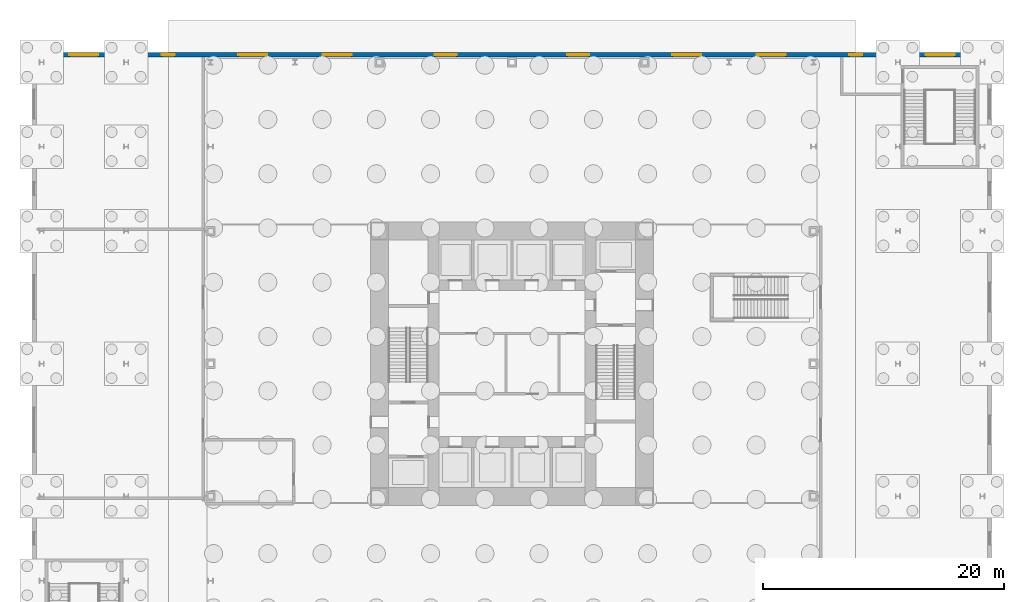
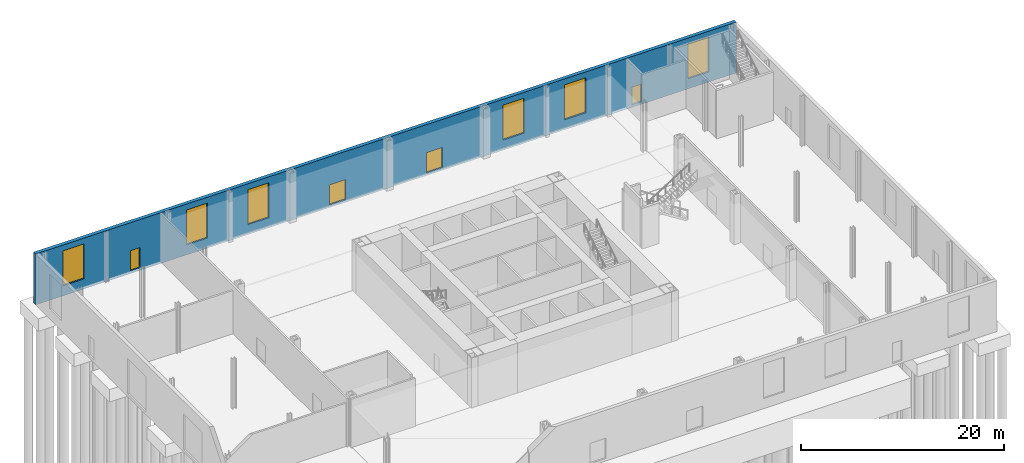
# One storey, part 11 of 16: 6 windows, 4 doors, 1 wall, 10 openings.
"""IFC4 building model written with IfcOpenShell, lengths in metres."""

from ifc_helpers import new_model, si_unit, direction, frame, frame_2d, origin, place, context, subcontext, project, spatial, rectangle, extrude, material, layer, layer_set, type_object, element, fill, save


model = new_model("IFC4")

# Units and contexts
model_context = context("Model", 3, precision=1e-05, world=origin(), true_north=direction((0.0, 1.0)))
body_context = subcontext(model_context, "Body", "Model", "MODEL_VIEW")
ifc_project = project(units=[si_unit("LENGTHUNIT", "METRE"), si_unit("AREAUNIT", "SQUARE_METRE"), si_unit("VOLUMEUNIT", "CUBIC_METRE"), si_unit("PLANEANGLEUNIT", "RADIAN"), si_unit("MASSUNIT", "GRAM", prefix="KILO")], contexts=[model_context])

# Site, building, storey
site_placement = place(None, origin())
site = spatial("IfcSite", under=ifc_project, at=site_placement, CompositionType="ELEMENT")
building_placement = place(site_placement, origin())
building = spatial("IfcBuilding", under=site, at=building_placement, Name="Trevanion Tower", CompositionType="ELEMENT")
storey_placement = place(building_placement, origin())
storey = spatial("IfcBuildingStorey", under=building, at=storey_placement, Name="L00", CompositionType="ELEMENT", Elevation=0.0)

# Wall, openings, doors, windows
ifc_material_1 = material(Name="Granite cladding on concrete masonry", Category="masonry")
ifc_layer = layer(ifc_material_1, 0.39990234375)
ifc_layer_set = layer_set([ifc_layer], Name="EW1 granite-faced wall 400")
wall_type = type_object("IfcWallType", Name="EW1 granite-faced wall 400", PredefinedType="SOLIDWALL", material=ifc_layer_set)
wall_placement = place(storey_placement, frame((39.820068359375, 25.6201171875, -0.300048828125), z_axis=(0.0, 0.0, 1.0), x_axis=(-1.0, 0.0, 0.0)))
wall = element("IfcWall", 1, at=wall_placement, inside=storey, type_object=wall_type, Name="EW1 N L00", PredefinedType="SOLIDWALL", context=body_context, shape_type="SweptSolid", body=[
    extrude(rectangle(XDim=79.64013671875, YDim=0.39990234375, at=frame_2d((39.820068359375, 0.0))), origin(), (0.0, 0.0, 1.0), 6.110107421875),
])
opening_1_placement = place(wall_placement, frame((74.1201171875, 0.0, 1.199951171875)))
opening_1 = element("IfcOpeningElement", 2, at=opening_1_placement, cuts=wall, Name="Opening WN1", PredefinedType="OPENING", context=body_context, shape_type="SweptSolid", body=[
    extrude(rectangle(XDim=2.39990234375, YDim=4.199951171875, at=frame_2d((1.199951171875, 2.10009765625))), frame((0.0, 0.2099609375, 0.0), z_axis=(0.0, -1.0, 0.0), x_axis=(1.0, 0.0, 0.0)), (0.0, 0.0, 1.0), 0.419921875),
])
opening_2_placement = place(wall_placement, frame((67.784912109375, 0.0, 0.300048828125)))
opening_2 = element("IfcOpeningElement", 3, at=opening_2_placement, cuts=wall, Name="Opening 00E06", PredefinedType="OPENING", context=body_context, shape_type="SweptSolid", body=[
    extrude(rectangle(XDim=1.070068359375, YDim=2.43994140625, at=frame_2d((0.53515625, 1.219970703125))), frame((0.0, 0.2099609375, 0.0), z_axis=(0.0, -1.0, 0.0), x_axis=(1.0, 0.0, 0.0)), (0.0, 0.0, 1.0), 0.419921875),
])
opening_3_placement = place(wall_placement, frame((60.1201171875, 0.0, 1.199951171875)))
opening_3 = element("IfcOpeningElement", 4, at=opening_3_placement, cuts=wall, Name="Opening WN1", PredefinedType="OPENING", context=body_context, shape_type="SweptSolid", body=[
    extrude(rectangle(XDim=2.39990234375, YDim=4.199951171875, at=frame_2d((1.199951171875, 2.10009765625))), frame((0.0, 0.2099609375, 0.0), z_axis=(0.0, -1.0, 0.0), x_axis=(1.0, 0.0, 0.0)), (0.0, 0.0, 1.0), 0.419921875),
])
opening_4_placement = place(wall_placement, frame((53.1201171875, 0.0, 1.199951171875)))
opening_4 = element("IfcOpeningElement", 5, at=opening_4_placement, cuts=wall, Name="Opening WN1", PredefinedType="OPENING", context=body_context, shape_type="SweptSolid", body=[
    extrude(rectangle(XDim=2.39990234375, YDim=4.199951171875, at=frame_2d((1.199951171875, 2.10009765625))), frame((0.0, 0.2099609375, 0.0), z_axis=(0.0, -1.0, 0.0), x_axis=(1.0, 0.0, 0.0)), (0.0, 0.0, 1.0), 0.419921875),
])
opening_5_placement = place(wall_placement, frame((44.405029296875, 0.0, 0.300048828125)))
opening_5 = element("IfcOpeningElement", 6, at=opening_5_placement, cuts=wall, Name="Opening 00E07", PredefinedType="OPENING", context=body_context, shape_type="SweptSolid", body=[
    extrude(rectangle(XDim=1.830078125, YDim=2.43994140625, at=frame_2d((0.9150390625, 1.219970703125))), frame((0.0, 0.2099609375, 0.0), z_axis=(0.0, -1.0, 0.0), x_axis=(1.0, 0.0, 0.0)), (0.0, 0.0, 1.0), 0.419921875),
])
opening_6_placement = place(wall_placement, frame((33.405029296875, 0.0, 0.300048828125)))
opening_6 = element("IfcOpeningElement", 7, at=opening_6_placement, cuts=wall, Name="Opening 00E08", PredefinedType="OPENING", context=body_context, shape_type="SweptSolid", body=[
    extrude(rectangle(XDim=1.830078125, YDim=2.43994140625, at=frame_2d((0.9150390625, 1.219970703125))), frame((0.0, 0.2099609375, 0.0), z_axis=(0.0, -1.0, 0.0), x_axis=(1.0, 0.0, 0.0)), (0.0, 0.0, 1.0), 0.419921875),
])
opening_7_placement = place(wall_placement, frame((24.1201171875, 0.0, 1.199951171875)))
opening_7 = element("IfcOpeningElement", 8, at=opening_7_placement, cuts=wall, Name="Opening WN1", PredefinedType="OPENING", context=body_context, shape_type="SweptSolid", body=[
    extrude(rectangle(XDim=2.39990234375, YDim=4.199951171875, at=frame_2d((1.199951171875, 2.10009765625))), frame((0.0, 0.2099609375, 0.0), z_axis=(0.0, -1.0, 0.0), x_axis=(1.0, 0.0, 0.0)), (0.0, 0.0, 1.0), 0.419921875),
])
opening_8_placement = place(wall_placement, frame((17.1201171875, 0.0, 1.199951171875)))
opening_8 = element("IfcOpeningElement", 9, at=opening_8_placement, cuts=wall, Name="Opening WN1", PredefinedType="OPENING", context=body_context, shape_type="SweptSolid", body=[
    extrude(rectangle(XDim=2.39990234375, YDim=4.199951171875, at=frame_2d((1.199951171875, 2.10009765625))), frame((0.0, 0.2099609375, 0.0), z_axis=(0.0, -1.0, 0.0), x_axis=(1.0, 0.0, 0.0)), (0.0, 0.0, 1.0), 0.419921875),
])
opening_9_placement = place(wall_placement, frame((3.1201171875, 0.0, 1.199951171875)))
opening_9 = element("IfcOpeningElement", 10, at=opening_9_placement, cuts=wall, Name="Opening WN1", PredefinedType="OPENING", context=body_context, shape_type="SweptSolid", body=[
    extrude(rectangle(XDim=2.39990234375, YDim=4.199951171875, at=frame_2d((1.199951171875, 2.10009765625))), frame((0.0, 0.2099609375, 0.0), z_axis=(0.0, -1.0, 0.0), x_axis=(1.0, 0.0, 0.0)), (0.0, 0.0, 1.0), 0.419921875),
])
opening_10_placement = place(wall_placement, frame((10.784912109375, 0.0, 0.300048828125)))
opening_10 = element("IfcOpeningElement", 11, at=opening_10_placement, cuts=wall, Name="Opening 00E14", PredefinedType="OPENING", context=body_context, shape_type="SweptSolid", body=[
    extrude(rectangle(XDim=1.070068359375, YDim=2.1298828125, at=frame_2d((0.53515625, 1.06494140625))), frame((0.0, 0.2099609375, 0.0), z_axis=(0.0, -1.0, 0.0), x_axis=(1.0, 0.0, 0.0)), (0.0, 0.0, 1.0), 0.419921875),
])
ifc_material_2 = material(Name="Bronze-finish aluminium and glass", Category="aluminium")
door_type_1 = type_object("IfcDoorType", Name="ED1 bronze and glass entrance pair", OperationType="DOUBLE_DOOR_DOUBLE_SWING", PredefinedType="DOOR", material=ifc_material_2)
door_1_placement = place(opening_5_placement, frame((1.830078125, 0.0, 0.0), z_axis=(0.0, 0.0, 1.0), x_axis=(-1.0, 0.0, 0.0)))
door_1 = element("IfcDoor", 12, at=door_1_placement, inside=storey, type_object=door_type_1, Name="Door 00E07", OperationType="SINGLE_SWING_LEFT", OverallHeight=2.43994140625, OverallWidth=1.830078125, PredefinedType="DOOR", context=body_context, shape_type="SweptSolid", body=[
    extrude(rectangle(XDim=1.830078125, YDim=2.43994140625, at=frame_2d((0.9150390625, 1.219970703125))), frame((0.0, 0.02490234375, 0.0), z_axis=(0.0, -1.0, 0.0), x_axis=(1.0, 0.0, 0.0)), (0.0, 0.0, 1.0), 0.050048828125),
])
fill(opening_5, door_1)
door_2_placement = place(opening_6_placement, frame((1.830078125, 0.0, 0.0), z_axis=(0.0, 0.0, 1.0), x_axis=(-1.0, 0.0, 0.0)))
door_2 = element("IfcDoor", 13, at=door_2_placement, inside=storey, type_object=door_type_1, Name="Door 00E08", OperationType="SINGLE_SWING_LEFT", OverallHeight=2.43994140625, OverallWidth=1.830078125, PredefinedType="DOOR", context=body_context, shape_type="SweptSolid", body=[
    extrude(rectangle(XDim=1.830078125, YDim=2.43994140625, at=frame_2d((0.9150390625, 1.219970703125))), frame((0.0, 0.02490234375, 0.0), z_axis=(0.0, -1.0, 0.0), x_axis=(1.0, 0.0, 0.0)), (0.0, 0.0, 1.0), 0.050048828125),
])
fill(opening_6, door_2)
ifc_material_3 = material(Name="Bronze-finish aluminium and glass", Category="aluminium")
door_type_2 = type_object("IfcDoorType", Name="ED2 bronze and glass shop door", OperationType="SINGLE_SWING_LEFT", PredefinedType="DOOR", material=ifc_material_3)
door_3_placement = place(opening_2_placement, frame((1.070068359375, 0.0, 0.0), z_axis=(0.0, 0.0, 1.0), x_axis=(-1.0, 0.0, 0.0)))
door_3 = element("IfcDoor", 14, at=door_3_placement, inside=storey, type_object=door_type_2, Name="Door 00E06", OperationType="SINGLE_SWING_LEFT", OverallHeight=2.43994140625, OverallWidth=1.070068359375, PredefinedType="DOOR", context=body_context, shape_type="SweptSolid", body=[
    extrude(rectangle(XDim=1.070068359375, YDim=2.43994140625, at=frame_2d((0.53515625, 1.219970703125))), frame((0.0, 0.02490234375, 0.0), z_axis=(0.0, -1.0, 0.0), x_axis=(1.0, 0.0, 0.0)), (0.0, 0.0, 1.0), 0.050048828125),
])
fill(opening_2, door_3)
ifc_material_4 = material(Name="Steel", Category="steel")
door_type_3 = type_object("IfcDoorType", Name="ED3 steel exit door", OperationType="SINGLE_SWING_LEFT", PredefinedType="DOOR", material=ifc_material_4)
door_4_placement = place(opening_10_placement, frame((1.070068359375, 0.0, 0.0), z_axis=(0.0, 0.0, 1.0), x_axis=(-1.0, 0.0, 0.0)))
door_4 = element("IfcDoor", 15, at=door_4_placement, inside=storey, type_object=door_type_3, Name="Door 00E14", OperationType="SINGLE_SWING_LEFT", OverallHeight=2.1298828125, OverallWidth=1.070068359375, PredefinedType="DOOR", context=body_context, shape_type="SweptSolid", body=[
    extrude(rectangle(XDim=1.070068359375, YDim=2.1298828125, at=frame_2d((0.53515625, 1.06494140625))), frame((0.0, 0.02490234375, 0.0), z_axis=(0.0, -1.0, 0.0), x_axis=(1.0, 0.0, 0.0)), (0.0, 0.0, 1.0), 0.050048828125),
])
fill(opening_10, door_4)
ifc_material_5 = material(Name="Bronze-finish aluminium frame, insulating glass", Category="aluminium")
window_type = type_object("IfcWindowType", Name="WN1 window 2400x4200", PartitioningType="SINGLE_PANEL", PredefinedType="WINDOW", material=ifc_material_5)
window_1_placement = place(opening_1_placement, origin())
window_1 = element("IfcWindow", 16, at=window_1_placement, inside=storey, type_object=window_type, Name="WN1 N L00", OverallHeight=4.199951171875, OverallWidth=2.39990234375, PartitioningType="SINGLE_PANEL", PredefinedType="WINDOW", context=body_context, shape_type="SweptSolid", body=[
    extrude(rectangle(XDim=2.39990234375, YDim=4.199951171875, at=frame_2d((1.199951171875, 2.10009765625))), frame((0.0, 0.030029296875, 0.0), z_axis=(0.0, -1.0, 0.0), x_axis=(1.0, 0.0, 0.0)), (0.0, 0.0, 1.0), 0.06005859375),
])
fill(opening_1, window_1)
window_2_placement = place(opening_3_placement, origin())
window_2 = element("IfcWindow", 17, at=window_2_placement, inside=storey, type_object=window_type, Name="WN1 N L00", OverallHeight=4.199951171875, OverallWidth=2.39990234375, PartitioningType="SINGLE_PANEL", PredefinedType="WINDOW", context=body_context, shape_type="SweptSolid", body=[
    extrude(rectangle(XDim=2.39990234375, YDim=4.199951171875, at=frame_2d((1.199951171875, 2.10009765625))), frame((0.0, 0.030029296875, 0.0), z_axis=(0.0, -1.0, 0.0), x_axis=(1.0, 0.0, 0.0)), (0.0, 0.0, 1.0), 0.06005859375),
])
fill(opening_3, window_2)
window_3_placement = place(opening_4_placement, origin())
window_3 = element("IfcWindow", 18, at=window_3_placement, inside=storey, type_object=window_type, Name="WN1 N L00", OverallHeight=4.199951171875, OverallWidth=2.39990234375, PartitioningType="SINGLE_PANEL", PredefinedType="WINDOW", context=body_context, shape_type="SweptSolid", body=[
    extrude(rectangle(XDim=2.39990234375, YDim=4.199951171875, at=frame_2d((1.199951171875, 2.10009765625))), frame((0.0, 0.030029296875, 0.0), z_axis=(0.0, -1.0, 0.0), x_axis=(1.0, 0.0, 0.0)), (0.0, 0.0, 1.0), 0.06005859375),
])
fill(opening_4, window_3)
window_4_placement = place(opening_7_placement, origin())
window_4 = element("IfcWindow", 19, at=window_4_placement, inside=storey, type_object=window_type, Name="WN1 N L00", OverallHeight=4.199951171875, OverallWidth=2.39990234375, PartitioningType="SINGLE_PANEL", PredefinedType="WINDOW", context=body_context, shape_type="SweptSolid", body=[
    extrude(rectangle(XDim=2.39990234375, YDim=4.199951171875, at=frame_2d((1.199951171875, 2.10009765625))), frame((0.0, 0.030029296875, 0.0), z_axis=(0.0, -1.0, 0.0), x_axis=(1.0, 0.0, 0.0)), (0.0, 0.0, 1.0), 0.06005859375),
])
fill(opening_7, window_4)
window_5_placement = place(opening_8_placement, origin())
window_5 = element("IfcWindow", 20, at=window_5_placement, inside=storey, type_object=window_type, Name="WN1 N L00", OverallHeight=4.199951171875, OverallWidth=2.39990234375, PartitioningType="SINGLE_PANEL", PredefinedType="WINDOW", context=body_context, shape_type="SweptSolid", body=[
    extrude(rectangle(XDim=2.39990234375, YDim=4.199951171875, at=frame_2d((1.199951171875, 2.10009765625))), frame((0.0, 0.030029296875, 0.0), z_axis=(0.0, -1.0, 0.0), x_axis=(1.0, 0.0, 0.0)), (0.0, 0.0, 1.0), 0.06005859375),
])
fill(opening_8, window_5)
window_6_placement = place(opening_9_placement, origin())
window_6 = element("IfcWindow", 21, at=window_6_placement, inside=storey, type_object=window_type, Name="WN1 N L00", OverallHeight=4.199951171875, OverallWidth=2.39990234375, PartitioningType="SINGLE_PANEL", PredefinedType="WINDOW", context=body_context, shape_type="SweptSolid", body=[
    extrude(rectangle(XDim=2.39990234375, YDim=4.199951171875, at=frame_2d((1.199951171875, 2.10009765625))), frame((0.0, 0.030029296875, 0.0), z_axis=(0.0, -1.0, 0.0), x_axis=(1.0, 0.0, 0.0)), (0.0, 0.0, 1.0), 0.06005859375),
])
fill(opening_9, window_6)

save(model, "model.ifc")
